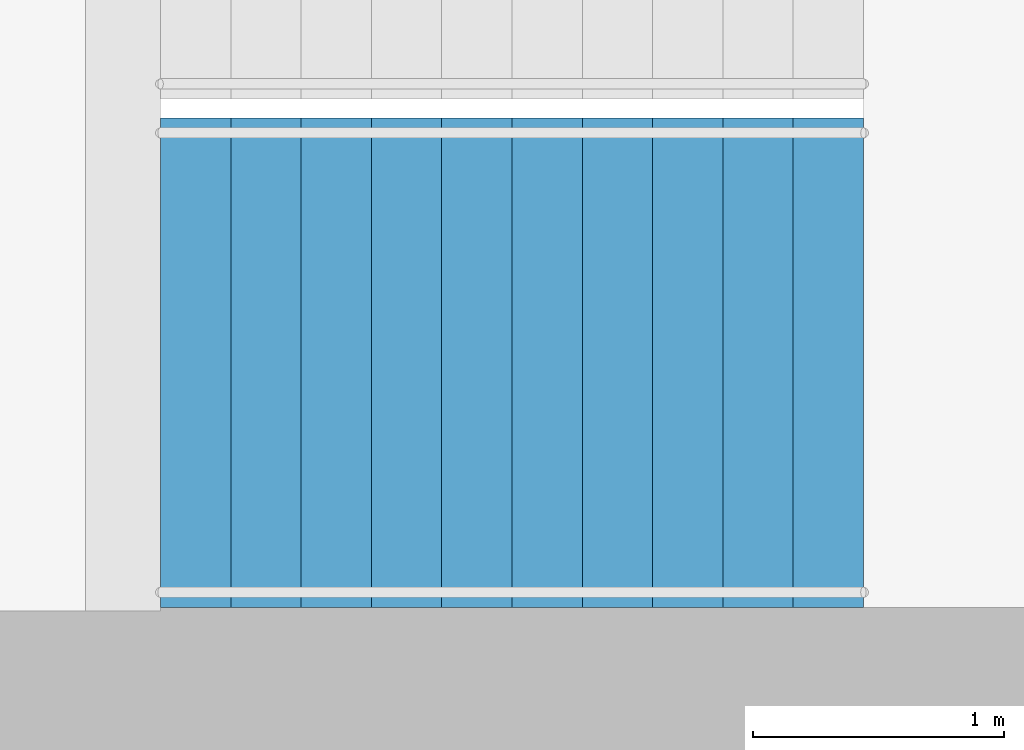
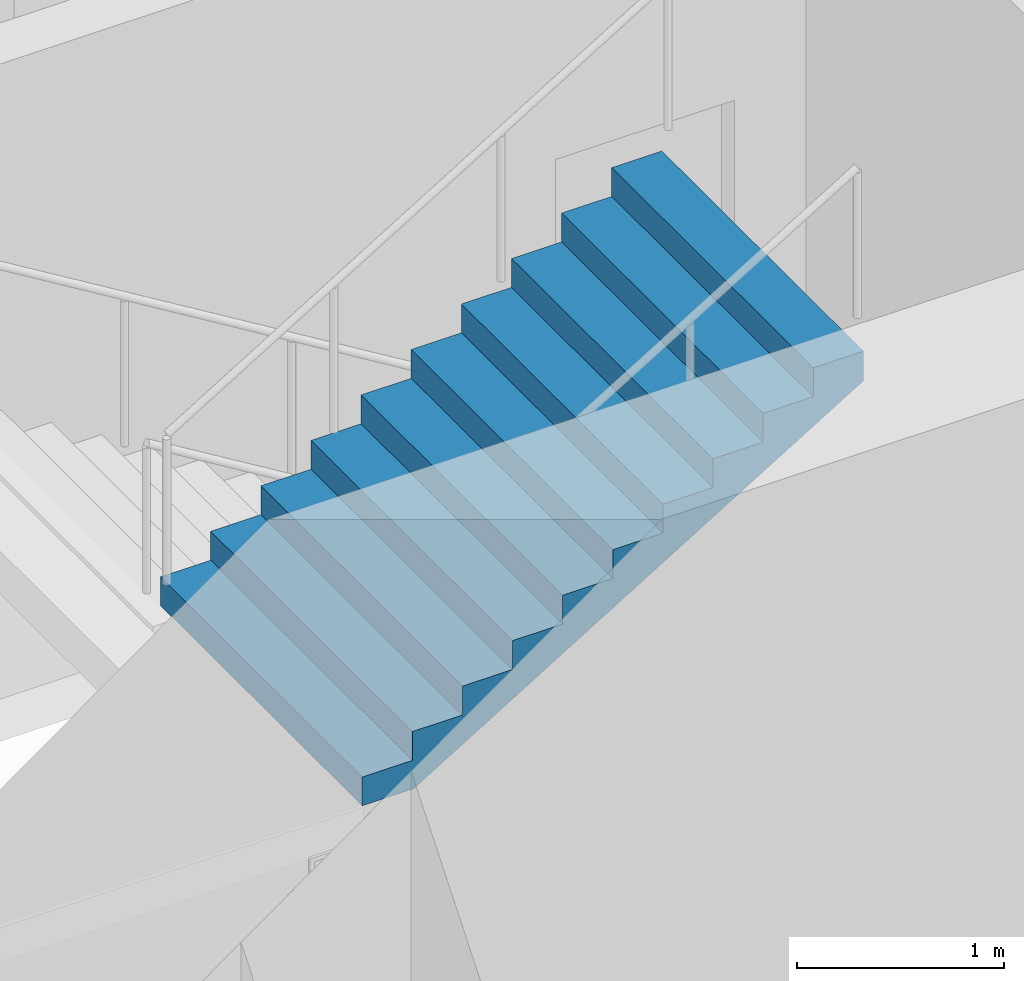
# One storey, part 19 of 21: 1 stair flight, 1 element without a shape of its own.
"""IFC4 building model written with IfcOpenShell, lengths in metres."""

from ifc_helpers import new_model, si_unit, direction, frame, origin, place, context, subcontext, project, spatial, triangles, material, type_object, element, aggregate, save


model = new_model("IFC4")

# Units and contexts
model_context = context("Model", 3, precision=1e-05, world=origin(), true_north=direction((0.0, 1.0)))
body_context = subcontext(model_context, "Body", "Model", "MODEL_VIEW")
ifc_project = project(units=[si_unit("LENGTHUNIT", "METRE"), si_unit("AREAUNIT", "SQUARE_METRE"), si_unit("VOLUMEUNIT", "CUBIC_METRE"), si_unit("PLANEANGLEUNIT", "RADIAN"), si_unit("MASSUNIT", "GRAM", prefix="KILO")], contexts=[model_context])

# Site, building, storey
site_placement = place(None, origin())
site = spatial("IfcSite", under=ifc_project, at=site_placement, CompositionType="ELEMENT")
building_placement = place(site_placement, origin())
building = spatial("IfcBuilding", under=site, at=building_placement, Name="Orbita Commons", CompositionType="ELEMENT")
storey_placement = place(building_placement, frame((0.0, 0.0, 103.14990234375)))
storey = spatial("IfcBuildingStorey", under=building, at=storey_placement, Name="L25", CompositionType="ELEMENT", Elevation=103.14990234375)

# Stair, stair flight
ifc_material_1 = material(Name="Precast concrete C40/50", Category="concrete")
stair_type = type_object("IfcStairType", Name="Exit stair S2 2 flights 11 risers 170", PredefinedType="HALF_TURN_STAIR", material=ifc_material_1)
stair_placement = place(storey_placement, origin())
stair = element("IfcStair", 1, at=stair_placement, inside=storey, type_object=stair_type, Name="Exit stair S2 L25", PredefinedType="HALF_TURN_STAIR")
ifc_material_2 = material(Name="Precast concrete C40/50", Category="concrete")
stair_flight_type = type_object("IfcStairFlightType", Name="Stair flight 11 risers 170 x 280", PredefinedType="STRAIGHT", material=ifc_material_2)
stair_flight_placement = place(storey_placement, frame((60.75, 27.25, 1.875), z_axis=(0.0, 0.0, 1.0), x_axis=(1.0, 0.0, 0.0)))
stair_flight = element("IfcStairFlight", 2, at=stair_flight_placement, type_object=stair_flight_type, Name="S2 flight 2", NumberOfRisers=11, NumberOfTreads=10, PredefinedType="STRAIGHT", RiserHeight=0.170454545, TreadLength=0.28, context=body_context, shape_type="Tessellation", body=[
    triangles([(0.0, 0.974976, 0.0), (0.0, 0.974976, 0.021307), (0.0, 0.81248, 0.021307), (0.0, 0.81248, 0.0), (0.0, 0.649984, 0.021307), (0.0, 0.649984, 0.0), (0.0, 0.487488, 0.021307), (0.0, 0.487488, 0.0), (0.0, 0.324992, 0.021307), (0.0, 0.324992, 0.0), (0.0, 0.162496, 0.021307), (0.0, 0.162496, 0.0), (0.0, 0.0, 0.021307), (0.0, 0.0, 0.0), (0.0, -0.162496, 0.021307), (0.0, -0.162496, 0.0), (0.0, -0.324992, 0.021307), (0.0, -0.324992, 0.0), (0.0, -0.487488, 0.021307), (0.0, -0.487488, 0.0), (0.0, -0.649984, 0.021307), (0.0, -0.649984, 0.0), (0.0, -0.81248, 0.021307), (0.0, -0.81248, 0.0), (0.0, -0.974976, 0.021307), (0.0, -0.974976, 0.0), (0.0, 0.974976, 0.042614), (0.0, 0.81248, 0.042614), (0.0, 0.649984, 0.042614), (0.0, 0.487488, 0.042614), (0.0, 0.324992, 0.042614), (0.0, 0.162496, 0.042614), (0.0, 0.0, 0.042614), (0.0, -0.162496, 0.042614), (0.0, -0.324992, 0.042614), (0.0, -0.487488, 0.042614), (0.0, -0.649984, 0.042614), (0.0, -0.81248, 0.042614), (0.0, -0.974976, 0.042614), (0.0, 0.974976, 0.06392), (0.0, 0.81248, 0.06392), (0.0, 0.649984, 0.06392), (0.0, 0.487488, 0.06392), (0.0, 0.324992, 0.06392), (0.0, 0.162496, 0.06392), (0.0, 0.0, 0.06392), (0.0, -0.162496, 0.06392), (0.0, -0.324992, 0.06392), (0.0, -0.487488, 0.06392), (0.0, -0.649984, 0.06392), (0.0, -0.81248, 0.06392), (0.0, -0.974976, 0.06392), (0.0, 0.974976, 0.085227), (0.0, 0.81248, 0.085227), (0.0, 0.649984, 0.085227), (0.0, 0.487488, 0.085227), (0.0, 0.324992, 0.085227), (0.0, 0.162496, 0.085227), (0.0, 0.0, 0.085227), (0.0, -0.162496, 0.085227), (0.0, -0.324992, 0.085227), (0.0, -0.487488, 0.085227), (0.0, -0.649984, 0.085227), (0.0, -0.81248, 0.085227), (0.0, -0.974976, 0.085227), (0.0, 0.974976, 0.106534), (0.0, 0.81248, 0.106534), (0.0, 0.649984, 0.106534), (0.0, 0.487488, 0.106534), (0.0, 0.324992, 0.106534), (0.0, 0.162496, 0.106534), (0.0, 0.0, 0.106534), (0.0, -0.162496, 0.106534), (0.0, -0.324992, 0.106534), (0.0, -0.487488, 0.106534), (0.0, -0.649984, 0.106534), (0.0, -0.81248, 0.106534), (0.0, -0.974976, 0.106534), (0.0, 0.974976, 0.127841), (0.0, 0.81248, 0.127841), (0.0, 0.649984, 0.127841), (0.0, 0.487488, 0.127841), (0.0, 0.324992, 0.127841), (0.0, 0.162496, 0.127841), (0.0, 0.0, 0.127841), (0.0, -0.162496, 0.127841), (0.0, -0.324992, 0.127841), (0.0, -0.487488, 0.127841), (0.0, -0.649984, 0.127841), (0.0, -0.81248, 0.127841), (0.0, -0.974976, 0.127841), (0.0, 0.974976, 0.149148), (0.0, 0.81248, 0.149148), (0.0, 0.649984, 0.149148), (0.0, 0.487488, 0.149148), (0.0, 0.324992, 0.149148), (0.0, 0.162496, 0.149148), (0.0, 0.0, 0.149148), (0.0, -0.162496, 0.149148), (0.0, -0.324992, 0.149148), (0.0, -0.487488, 0.149148), (0.0, -0.649984, 0.149148), (0.0, -0.81248, 0.149148), (0.0, -0.974976, 0.149148), (0.0, 0.974976, 0.170455), (0.0, 0.81248, 0.170455), (0.0, 0.649984, 0.170455), (0.0, 0.487488, 0.170455), (0.0, 0.324992, 0.170455), (0.0, 0.162496, 0.170455), (0.0, 0.0, 0.170455), (0.0, -0.162496, 0.170455), (0.0, -0.324992, 0.170455), (0.0, -0.487488, 0.170455), (0.0, -0.649984, 0.170455), (0.0, -0.81248, 0.170455), (0.0, -0.974976, 0.170455), (0.28, 0.974976, 0.170455), (0.28, 0.81248, 0.170455), (0.28, 0.649984, 0.170455), (0.28, 0.487488, 0.170455), (0.28, 0.324992, 0.170455), (0.28, 0.162496, 0.170455), (0.28, 0.0, 0.170455), (0.28, -0.162496, 0.170455), (0.28, -0.324992, 0.170455), (0.28, -0.487488, 0.170455), (0.28, -0.649984, 0.170455), (0.28, -0.81248, 0.170455), (0.28, -0.974976, 0.170455), (0.28, 0.974976, 0.340909), (0.28, 0.81248, 0.340909), (0.28, 0.649984, 0.340909), (0.28, 0.487488, 0.340909), (0.28, 0.324992, 0.340909), (0.28, 0.162496, 0.340909), (0.28, 0.0, 0.340909), (0.28, -0.162496, 0.340909), (0.28, -0.324992, 0.340909), (0.28, -0.487488, 0.340909), (0.28, -0.649984, 0.340909), (0.28, -0.81248, 0.340909), (0.28, -0.974976, 0.340909), (0.56, 0.974976, 0.340909), (0.56, 0.81248, 0.340909), (0.56, 0.649984, 0.340909), (0.56, 0.487488, 0.340909), (0.56, 0.324992, 0.340909), (0.56, 0.162496, 0.340909), (0.56, 0.0, 0.340909), (0.56, -0.162496, 0.340909), (0.56, -0.324992, 0.340909), (0.56, -0.487488, 0.340909), (0.56, -0.649984, 0.340909), (0.56, -0.81248, 0.340909), (0.56, -0.974976, 0.340909), (0.56, 0.974976, 0.511364), (0.56, 0.81248, 0.511364), (0.56, 0.649984, 0.511364), (0.56, 0.487488, 0.511364), (0.56, 0.324992, 0.511364), (0.56, 0.162496, 0.511364), (0.56, 0.0, 0.511364), (0.56, -0.162496, 0.511364), (0.56, -0.324992, 0.511364), (0.56, -0.487488, 0.511364), (0.56, -0.649984, 0.511364), (0.56, -0.81248, 0.511364), (0.56, -0.974976, 0.511364), (0.84, 0.974976, 0.511364), (0.84, 0.81248, 0.511364), (0.84, 0.649984, 0.511364), (0.84, 0.487488, 0.511364), (0.84, 0.324992, 0.511364), (0.84, 0.162496, 0.511364), (0.84, 0.0, 0.511364), (0.84, -0.162496, 0.511364), (0.84, -0.324992, 0.511364), (0.84, -0.487488, 0.511364), (0.84, -0.649984, 0.511364), (0.84, -0.81248, 0.511364), (0.84, -0.974976, 0.511364), (0.84, 0.974976, 0.681818), (0.84, 0.81248, 0.681818), (0.84, 0.649984, 0.681818), (0.84, 0.487488, 0.681818), (0.84, 0.324992, 0.681818), (0.84, 0.162496, 0.681818), (0.84, 0.0, 0.681818), (0.84, -0.162496, 0.681818), (0.84, -0.324992, 0.681818), (0.84, -0.487488, 0.681818), (0.84, -0.649984, 0.681818), (0.84, -0.81248, 0.681818), (0.84, -0.974976, 0.681818), (1.12, 0.974976, 0.681818), (1.12, 0.81248, 0.681818), (1.12, 0.649984, 0.681818), (1.12, 0.487488, 0.681818), (1.12, 0.324992, 0.681818), (1.12, 0.162496, 0.681818), (1.12, 0.0, 0.681818), (1.12, -0.162496, 0.681818), (1.12, -0.324992, 0.681818), (1.12, -0.487488, 0.681818), (1.12, -0.649984, 0.681818), (1.12, -0.81248, 0.681818), (1.12, -0.974976, 0.681818), (1.12, 0.974976, 0.852273), (1.12, 0.81248, 0.852273), (1.12, 0.649984, 0.852273), (1.12, 0.487488, 0.852273), (1.12, 0.324992, 0.852273), (1.12, 0.162496, 0.852273), (1.12, 0.0, 0.852273), (1.12, -0.162496, 0.852273), (1.12, -0.324992, 0.852273), (1.12, -0.487488, 0.852273), (1.12, -0.649984, 0.852273), (1.12, -0.81248, 0.852273), (1.12, -0.974976, 0.852273), (1.4, 0.974976, 0.852273), (1.4, 0.81248, 0.852273), (1.4, 0.649984, 0.852273), (1.4, 0.487488, 0.852273), (1.4, 0.324992, 0.852273), (1.4, 0.162496, 0.852273), (1.4, 0.0, 0.852273), (1.4, -0.162496, 0.852273), (1.4, -0.324992, 0.852273), (1.4, -0.487488, 0.852273), (1.4, -0.649984, 0.852273), (1.4, -0.81248, 0.852273), (1.4, -0.974976, 0.852273), (1.4, 0.974976, 1.022727), (1.4, 0.81248, 1.022727), (1.4, 0.649984, 1.022727), (1.4, 0.487488, 1.022727), (1.4, 0.324992, 1.022727), (1.4, 0.162496, 1.022727), (1.4, 0.0, 1.022727), (1.4, -0.162496, 1.022727), (1.4, -0.324992, 1.022727), (1.4, -0.487488, 1.022727), (1.4, -0.649984, 1.022727), (1.4, -0.81248, 1.022727), (1.4, -0.974976, 1.022727), (1.68, 0.974976, 1.022727), (1.68, 0.81248, 1.022727), (1.68, 0.649984, 1.022727), (1.68, 0.487488, 1.022727), (1.68, 0.324992, 1.022727), (1.68, 0.162496, 1.022727), (1.68, 0.0, 1.022727), (1.68, -0.162496, 1.022727), (1.68, -0.324992, 1.022727), (1.68, -0.487488, 1.022727), (1.68, -0.649984, 1.022727), (1.68, -0.81248, 1.022727), (1.68, -0.974976, 1.022727), (1.68, 0.974976, 1.193182), (1.68, 0.81248, 1.193182), (1.68, 0.649984, 1.193182), (1.68, 0.487488, 1.193182), (1.68, 0.324992, 1.193182), (1.68, 0.162496, 1.193182), (1.68, 0.0, 1.193182), (1.68, -0.162496, 1.193182), (1.68, -0.324992, 1.193182), (1.68, -0.487488, 1.193182), (1.68, -0.649984, 1.193182), (1.68, -0.81248, 1.193182), (1.68, -0.974976, 1.193182), (1.96, 0.974976, 1.193182), (1.96, 0.81248, 1.193182), (1.96, 0.649984, 1.193182), (1.96, 0.487488, 1.193182), (1.96, 0.324992, 1.193182), (1.96, 0.162496, 1.193182), (1.96, 0.0, 1.193182), (1.96, -0.162496, 1.193182), (1.96, -0.324992, 1.193182), (1.96, -0.487488, 1.193182), (1.96, -0.649984, 1.193182), (1.96, -0.81248, 1.193182), (1.96, -0.974976, 1.193182), (1.96, 0.974976, 1.363636), (1.96, 0.81248, 1.363636), (1.96, 0.649984, 1.363636), (1.96, 0.487488, 1.363636), (1.96, 0.324992, 1.363636), (1.96, 0.162496, 1.363636), (1.96, 0.0, 1.363636), (1.96, -0.162496, 1.363636), (1.96, -0.324992, 1.363636), (1.96, -0.487488, 1.363636), (1.96, -0.649984, 1.363636), (1.96, -0.81248, 1.363636), (1.96, -0.974976, 1.363636), (2.24, 0.974976, 1.363636), (2.24, 0.81248, 1.363636), (2.24, 0.649984, 1.363636), (2.24, 0.487488, 1.363636), (2.24, 0.324992, 1.363636), (2.24, 0.162496, 1.363636), (2.24, 0.0, 1.363636), (2.24, -0.162496, 1.363636), (2.24, -0.324992, 1.363636), (2.24, -0.487488, 1.363636), (2.24, -0.649984, 1.363636), (2.24, -0.81248, 1.363636), (2.24, -0.974976, 1.363636), (2.24, 0.974976, 1.534091), (2.24, 0.81248, 1.534091), (2.24, 0.649984, 1.534091), (2.24, 0.487488, 1.534091), (2.24, 0.324992, 1.534091), (2.24, 0.162496, 1.534091), (2.24, 0.0, 1.534091), (2.24, -0.162496, 1.534091), (2.24, -0.324992, 1.534091), (2.24, -0.487488, 1.534091), (2.24, -0.649984, 1.534091), (2.24, -0.81248, 1.534091), (2.24, -0.974976, 1.534091), (2.52, 0.974976, 1.534091), (2.52, 0.81248, 1.534091), (2.52, 0.649984, 1.534091), (2.52, 0.487488, 1.534091), (2.52, 0.324992, 1.534091), (2.52, 0.162496, 1.534091), (2.52, 0.0, 1.534091), (2.52, -0.162496, 1.534091), (2.52, -0.324992, 1.534091), (2.52, -0.487488, 1.534091), (2.52, -0.649984, 1.534091), (2.52, -0.81248, 1.534091), (2.52, -0.974976, 1.534091), (2.52, 0.974976, 1.704545), (2.52, 0.81248, 1.704545), (2.52, 0.649984, 1.704545), (2.52, 0.487488, 1.704545), (2.52, 0.324992, 1.704545), (2.52, 0.162496, 1.704545), (2.52, 0.0, 1.704545), (2.52, -0.162496, 1.704545), (2.52, -0.324992, 1.704545), (2.52, -0.487488, 1.704545), (2.52, -0.649984, 1.704545), (2.52, -0.81248, 1.704545), (2.52, -0.974976, 1.704545), (2.8, 0.974976, 1.704545), (2.8, 0.81248, 1.704545), (2.8, 0.649984, 1.704545), (2.8, 0.487488, 1.704545), (2.8, 0.324992, 1.704545), (2.8, 0.162496, 1.704545), (2.8, 0.0, 1.704545), (2.8, -0.162496, 1.704545), (2.8, -0.324992, 1.704545), (2.8, -0.487488, 1.704545), (2.8, -0.649984, 1.704545), (2.8, -0.81248, 1.704545), (2.8, -0.974976, 1.704545), (2.8, 0.974976, 1.682609), (2.8, 0.81248, 1.682609), (2.8, 0.649984, 1.682609), (2.8, 0.487488, 1.682609), (2.8, 0.324992, 1.682609), (2.8, 0.162496, 1.682609), (2.8, 0.0, 1.682609), (2.8, -0.162496, 1.682609), (2.8, -0.324992, 1.682609), (2.8, -0.487488, 1.682609), (2.8, -0.649984, 1.682609), (2.8, -0.81248, 1.682609), (2.8, -0.974976, 1.682609), (2.8, 0.974976, 1.660672), (2.8, 0.81248, 1.660672), (2.8, 0.649984, 1.660672), (2.8, 0.487488, 1.660672), (2.8, 0.324992, 1.660672), (2.8, 0.162496, 1.660672), (2.8, 0.0, 1.660672), (2.8, -0.162496, 1.660672), (2.8, -0.324992, 1.660672), (2.8, -0.487488, 1.660672), (2.8, -0.649984, 1.660672), (2.8, -0.81248, 1.660672), (2.8, -0.974976, 1.660672), (2.8, 0.974976, 1.638735), (2.8, 0.81248, 1.638735), (2.8, 0.649984, 1.638735), (2.8, 0.487488, 1.638735), (2.8, 0.324992, 1.638735), (2.8, 0.162496, 1.638735), (2.8, 0.0, 1.638735), (2.8, -0.162496, 1.638735), (2.8, -0.324992, 1.638735), (2.8, -0.487488, 1.638735), (2.8, -0.649984, 1.638735), (2.8, -0.81248, 1.638735), (2.8, -0.974976, 1.638735), (2.8, 0.974976, 1.616798), (2.8, 0.81248, 1.616798), (2.8, 0.649984, 1.616798), (2.8, 0.487488, 1.616798), (2.8, 0.324992, 1.616798), (2.8, 0.162496, 1.616798), (2.8, 0.0, 1.616798), (2.8, -0.162496, 1.616798), (2.8, -0.324992, 1.616798), (2.8, -0.487488, 1.616798), (2.8, -0.649984, 1.616798), (2.8, -0.81248, 1.616798), (2.8, -0.974976, 1.616798), (2.8, 0.974976, 1.594861), (2.8, 0.81248, 1.594861), (2.8, 0.649984, 1.594861), (2.8, 0.487488, 1.594861), (2.8, 0.324992, 1.594861), (2.8, 0.162496, 1.594861), (2.8, 0.0, 1.594861), (2.8, -0.162496, 1.594861), (2.8, -0.324992, 1.594861), (2.8, -0.487488, 1.594861), (2.8, -0.649984, 1.594861), (2.8, -0.81248, 1.594861), (2.8, -0.974976, 1.594861), (2.8, 0.974976, 1.572925), (2.8, 0.81248, 1.572925), (2.8, 0.649984, 1.572925), (2.8, 0.487488, 1.572925), (2.8, 0.324992, 1.572925), (2.8, 0.162496, 1.572925), (2.8, 0.0, 1.572925), (2.8, -0.162496, 1.572925), (2.8, -0.324992, 1.572925), (2.8, -0.487488, 1.572925), (2.8, -0.649984, 1.572925), (2.8, -0.81248, 1.572925), (2.8, -0.974976, 1.572925), (2.8, 0.974976, 1.550988), (2.8, 0.81248, 1.550988), (2.8, 0.649984, 1.550988), (2.8, 0.487488, 1.550988), (2.8, 0.324992, 1.550988), (2.8, 0.162496, 1.550988), (2.8, 0.0, 1.550988), (2.8, -0.162496, 1.550988), (2.8, -0.324992, 1.550988), (2.8, -0.487488, 1.550988), (2.8, -0.649984, 1.550988), (2.8, -0.81248, 1.550988), (2.8, -0.974976, 1.550988), (2.8, 0.974976, 1.529051), (2.8, 0.81248, 1.529051), (2.8, 0.649984, 1.529051), (2.8, 0.487488, 1.529051), (2.8, 0.324992, 1.529051), (2.8, 0.162496, 1.529051), (2.8, 0.0, 1.529051), (2.8, -0.162496, 1.529051), (2.8, -0.324992, 1.529051), (2.8, -0.487488, 1.529051), (2.8, -0.649984, 1.529051), (2.8, -0.81248, 1.529051), (2.8, -0.974976, 1.529051), (0.288279, 0.974976, 0.0), (0.288279, 0.81248, 0.0), (0.288279, 0.649984, 0.0), (0.288279, 0.487488, 0.0), (0.288279, 0.324992, 0.0), (0.288279, 0.162496, 0.0), (0.288279, 0.0, 0.0), (0.288279, -0.162496, 0.0), (0.288279, -0.324992, 0.0), (0.288279, -0.487488, 0.0), (0.288279, -0.649984, 0.0), (0.288279, -0.81248, 0.0), (0.288279, -0.974976, 0.0)], [[3, 2, 1], [4, 3, 1], [5, 3, 4], [6, 5, 4], [7, 5, 6], [8, 7, 6], [9, 7, 8], [10, 9, 8], [11, 9, 10], [12, 11, 10], [13, 11, 12], [14, 13, 12], [15, 13, 14], [16, 15, 14], [17, 15, 16], [18, 17, 16], [19, 17, 18], [20, 19, 18], [21, 19, 20], [22, 21, 20], [23, 21, 22], [24, 23, 22], [25, 23, 24], [26, 25, 24], [28, 27, 2], [3, 28, 2], [29, 28, 3], [5, 29, 3], [30, 29, 5], [7, 30, 5], [31, 30, 7], [9, 31, 7], [32, 31, 9], [11, 32, 9], [33, 32, 11], [13, 33, 11], [34, 33, 13], [15, 34, 13], [35, 34, 15], [17, 35, 15], [36, 35, 17], [19, 36, 17], [37, 36, 19], [21, 37, 19], [38, 37, 21], [23, 38, 21], [39, 38, 23], [25, 39, 23], [41, 40, 27], [28, 41, 27], [42, 41, 28], [29, 42, 28], [43, 42, 29], [30, 43, 29], [44, 43, 30], [31, 44, 30], [45, 44, 31], [32, 45, 31], [46, 45, 32], [33, 46, 32], [47, 46, 33], [34, 47, 33], [48, 47, 34], [35, 48, 34], [49, 48, 35], [36, 49, 35], [50, 49, 36], [37, 50, 36], [51, 50, 37], [38, 51, 37], [52, 51, 38], [39, 52, 38], [54, 53, 40], [41, 54, 40], [55, 54, 41], [42, 55, 41], [56, 55, 42], [43, 56, 42], [57, 56, 43], [44, 57, 43], [58, 57, 44], [45, 58, 44], [59, 58, 45], [46, 59, 45], [60, 59, 46], [47, 60, 46], [61, 60, 47], [48, 61, 47], [62, 61, 48], [49, 62, 48], [63, 62, 49], [50, 63, 49], [64, 63, 50], [51, 64, 50], [65, 64, 51], [52, 65, 51], [67, 66, 53], [54, 67, 53], [68, 67, 54], [55, 68, 54], [69, 68, 55], [56, 69, 55], [70, 69, 56], [57, 70, 56], [71, 70, 57], [58, 71, 57], [72, 71, 58], [59, 72, 58], [73, 72, 59], [60, 73, 59], [74, 73, 60], [61, 74, 60], [75, 74, 61], [62, 75, 61], [76, 75, 62], [63, 76, 62], [77, 76, 63], [64, 77, 63], [78, 77, 64], [65, 78, 64], [80, 79, 66], [67, 80, 66], [81, 80, 67], [68, 81, 67], [82, 81, 68], [69, 82, 68], [83, 82, 69], [70, 83, 69], [84, 83, 70], [71, 84, 70], [85, 84, 71], [72, 85, 71], [86, 85, 72], [73, 86, 72], [87, 86, 73], [74, 87, 73], [88, 87, 74], [75, 88, 74], [89, 88, 75], [76, 89, 75], [90, 89, 76], [77, 90, 76], [91, 90, 77], [78, 91, 77], [93, 92, 79], [80, 93, 79], [94, 93, 80], [81, 94, 80], [95, 94, 81], [82, 95, 81], [96, 95, 82], [83, 96, 82], [97, 96, 83], [84, 97, 83], [98, 97, 84], [85, 98, 84], [99, 98, 85], [86, 99, 85], [100, 99, 86], [87, 100, 86], [101, 100, 87], [88, 101, 87], [102, 101, 88], [89, 102, 88], [103, 102, 89], [90, 103, 89], [104, 103, 90], [91, 104, 90], [106, 105, 92], [93, 106, 92], [107, 106, 93], [94, 107, 93], [108, 107, 94], [95, 108, 94], [109, 108, 95], [96, 109, 95], [110, 109, 96], [97, 110, 96], [111, 110, 97], [98, 111, 97], [112, 111, 98], [99, 112, 98], [113, 112, 99], [100, 113, 99], [114, 113, 100], [101, 114, 100], [115, 114, 101], [102, 115, 101], [116, 115, 102], [103, 116, 102], [117, 116, 103], [104, 117, 103], [119, 118, 105], [106, 119, 105], [120, 119, 106], [107, 120, 106], [121, 120, 107], [108, 121, 107], [122, 121, 108], [109, 122, 108], [123, 122, 109], [110, 123, 109], [124, 123, 110], [111, 124, 110], [125, 124, 111], [112, 125, 111], [126, 125, 112], [113, 126, 112], [127, 126, 113], [114, 127, 113], [128, 127, 114], [115, 128, 114], [129, 128, 115], [116, 129, 115], [130, 129, 116], [117, 130, 116], [132, 131, 118], [119, 132, 118], [133, 132, 119], [120, 133, 119], [134, 133, 120], [121, 134, 120], [135, 134, 121], [122, 135, 121], [136, 135, 122], [123, 136, 122], [137, 136, 123], [124, 137, 123], [138, 137, 124], [125, 138, 124], [139, 138, 125], [126, 139, 125], [140, 139, 126], [127, 140, 126], [141, 140, 127], [128, 141, 127], [142, 141, 128], [129, 142, 128], [143, 142, 129], [130, 143, 129], [145, 144, 131], [132, 145, 131], [146, 145, 132], [133, 146, 132], [147, 146, 133], [134, 147, 133], [148, 147, 134], [135, 148, 134], [149, 148, 135], [136, 149, 135], [150, 149, 136], [137, 150, 136], [151, 150, 137], [138, 151, 137], [152, 151, 138], [139, 152, 138], [153, 152, 139], [140, 153, 139], [154, 153, 140], [141, 154, 140], [155, 154, 141], [142, 155, 141], [156, 155, 142], [143, 156, 142], [158, 157, 144], [145, 158, 144], [159, 158, 145], [146, 159, 145], [160, 159, 146], [147, 160, 146], [161, 160, 147], [148, 161, 147], [162, 161, 148], [149, 162, 148], [163, 162, 149], [150, 163, 149], [164, 163, 150], [151, 164, 150], [165, 164, 151], [152, 165, 151], [166, 165, 152], [153, 166, 152], [167, 166, 153], [154, 167, 153], [168, 167, 154], [155, 168, 154], [169, 168, 155], [156, 169, 155], [171, 170, 157], [158, 171, 157], [172, 171, 158], [159, 172, 158], [173, 172, 159], [160, 173, 159], [174, 173, 160], [161, 174, 160], [175, 174, 161], [162, 175, 161], [176, 175, 162], [163, 176, 162], [177, 176, 163], [164, 177, 163], [178, 177, 164], [165, 178, 164], [179, 178, 165], [166, 179, 165], [180, 179, 166], [167, 180, 166], [181, 180, 167], [168, 181, 167], [182, 181, 168], [169, 182, 168], [184, 183, 170], [171, 184, 170], [185, 184, 171], [172, 185, 171], [186, 185, 172], [173, 186, 172], [187, 186, 173], [174, 187, 173], [188, 187, 174], [175, 188, 174], [189, 188, 175], [176, 189, 175], [190, 189, 176], [177, 190, 176], [191, 190, 177], [178, 191, 177], [192, 191, 178], [179, 192, 178], [193, 192, 179], [180, 193, 179], [194, 193, 180], [181, 194, 180], [195, 194, 181], [182, 195, 181], [197, 196, 183], [184, 197, 183], [198, 197, 184], [185, 198, 184], [199, 198, 185], [186, 199, 185], [200, 199, 186], [187, 200, 186], [201, 200, 187], [188, 201, 187], [202, 201, 188], [189, 202, 188], [203, 202, 189], [190, 203, 189], [204, 203, 190], [191, 204, 190], [205, 204, 191], [192, 205, 191], [206, 205, 192], [193, 206, 192], [207, 206, 193], [194, 207, 193], [208, 207, 194], [195, 208, 194], [210, 209, 196], [197, 210, 196], [211, 210, 197], [198, 211, 197], [212, 211, 198], [199, 212, 198], [213, 212, 199], [200, 213, 199], [214, 213, 200], [201, 214, 200], [215, 214, 201], [202, 215, 201], [216, 215, 202], [203, 216, 202], [217, 216, 203], [204, 217, 203], [218, 217, 204], [205, 218, 204], [219, 218, 205], [206, 219, 205], [220, 219, 206], [207, 220, 206], [221, 220, 207], [208, 221, 207], [223, 222, 209], [210, 223, 209], [224, 223, 210], [211, 224, 210], [225, 224, 211], [212, 225, 211], [226, 225, 212], [213, 226, 212], [227, 226, 213], [214, 227, 213], [228, 227, 214], [215, 228, 214], [229, 228, 215], [216, 229, 215], [230, 229, 216], [217, 230, 216], [231, 230, 217], [218, 231, 217], [232, 231, 218], [219, 232, 218], [233, 232, 219], [220, 233, 219], [234, 233, 220], [221, 234, 220], [236, 235, 222], [223, 236, 222], [237, 236, 223], [224, 237, 223], [238, 237, 224], [225, 238, 224], [239, 238, 225], [226, 239, 225], [240, 239, 226], [227, 240, 226], [241, 240, 227], [228, 241, 227], [242, 241, 228], [229, 242, 228], [243, 242, 229], [230, 243, 229], [244, 243, 230], [231, 244, 230], [245, 244, 231], [232, 245, 231], [246, 245, 232], [233, 246, 232], [247, 246, 233], [234, 247, 233], [249, 248, 235], [236, 249, 235], [250, 249, 236], [237, 250, 236], [251, 250, 237], [238, 251, 237], [252, 251, 238], [239, 252, 238], [253, 252, 239], [240, 253, 239], [254, 253, 240], [241, 254, 240], [255, 254, 241], [242, 255, 241], [256, 255, 242], [243, 256, 242], [257, 256, 243], [244, 257, 243], [258, 257, 244], [245, 258, 244], [259, 258, 245], [246, 259, 245], [260, 259, 246], [247, 260, 246], [262, 261, 248], [249, 262, 248], [263, 262, 249], [250, 263, 249], [264, 263, 250], [251, 264, 250], [265, 264, 251], [252, 265, 251], [266, 265, 252], [253, 266, 252], [267, 266, 253], [254, 267, 253], [268, 267, 254], [255, 268, 254], [269, 268, 255], [256, 269, 255], [270, 269, 256], [257, 270, 256], [271, 270, 257], [258, 271, 257], [272, 271, 258], [259, 272, 258], [273, 272, 259], [260, 273, 259], [275, 274, 261], [262, 275, 261], [276, 275, 262], [263, 276, 262], [277, 276, 263], [264, 277, 263], [278, 277, 264], [265, 278, 264], [279, 278, 265], [266, 279, 265], [280, 279, 266], [267, 280, 266], [281, 280, 267], [268, 281, 267], [282, 281, 268], [269, 282, 268], [283, 282, 269], [270, 283, 269], [284, 283, 270], [271, 284, 270], [285, 284, 271], [272, 285, 271], [286, 285, 272], [273, 286, 272], [288, 287, 274], [275, 288, 274], [289, 288, 275], [276, 289, 275], [290, 289, 276], [277, 290, 276], [291, 290, 277], [278, 291, 277], [292, 291, 278], [279, 292, 278], [293, 292, 279], [280, 293, 279], [294, 293, 280], [281, 294, 280], [295, 294, 281], [282, 295, 281], [296, 295, 282], [283, 296, 282], [297, 296, 283], [284, 297, 283], [298, 297, 284], [285, 298, 284], [299, 298, 285], [286, 299, 285], [301, 300, 287], [288, 301, 287], [302, 301, 288], [289, 302, 288], [303, 302, 289], [290, 303, 289], [304, 303, 290], [291, 304, 290], [305, 304, 291], [292, 305, 291], [306, 305, 292], [293, 306, 292], [307, 306, 293], [294, 307, 293], [308, 307, 294], [295, 308, 294], [309, 308, 295], [296, 309, 295], [310, 309, 296], [297, 310, 296], [311, 310, 297], [298, 311, 297], [312, 311, 298], [299, 312, 298], [314, 313, 300], [301, 314, 300], [315, 314, 301], [302, 315, 301], [316, 315, 302], [303, 316, 302], [317, 316, 303], [304, 317, 303], [318, 317, 304], [305, 318, 304], [319, 318, 305], [306, 319, 305], [320, 319, 306], [307, 320, 306], [321, 320, 307], [308, 321, 307], [322, 321, 308], [309, 322, 308], [323, 322, 309], [310, 323, 309], [324, 323, 310], [311, 324, 310], [325, 324, 311], [312, 325, 311], [327, 326, 313], [314, 327, 313], [328, 327, 314], [315, 328, 314], [329, 328, 315], [316, 329, 315], [330, 329, 316], [317, 330, 316], [331, 330, 317], [318, 331, 317], [332, 331, 318], [319, 332, 318], [333, 332, 319], [320, 333, 319], [334, 333, 320], [321, 334, 320], [335, 334, 321], [322, 335, 321], [336, 335, 322], [323, 336, 322], [337, 336, 323], [324, 337, 323], [338, 337, 324], [325, 338, 324], [340, 339, 326], [327, 340, 326], [341, 340, 327], [328, 341, 327], [342, 341, 328], [329, 342, 328], [343, 342, 329], [330, 343, 329], [344, 343, 330], [331, 344, 330], [345, 344, 331], [332, 345, 331], [346, 345, 332], [333, 346, 332], [347, 346, 333], [334, 347, 333], [348, 347, 334], [335, 348, 334], [349, 348, 335], [336, 349, 335], [350, 349, 336], [337, 350, 336], [351, 350, 337], [338, 351, 337], [353, 352, 339], [340, 353, 339], [354, 353, 340], [341, 354, 340], [355, 354, 341], [342, 355, 341], [356, 355, 342], [343, 356, 342], [357, 356, 343], [344, 357, 343], [358, 357, 344], [345, 358, 344], [359, 358, 345], [346, 359, 345], [360, 359, 346], [347, 360, 346], [361, 360, 347], [348, 361, 347], [362, 361, 348], [349, 362, 348], [363, 362, 349], [350, 363, 349], [364, 363, 350], [351, 364, 350], [366, 365, 352], [353, 366, 352], [367, 366, 353], [354, 367, 353], [368, 367, 354], [355, 368, 354], [369, 368, 355], [356, 369, 355], [370, 369, 356], [357, 370, 356], [371, 370, 357], [358, 371, 357], [372, 371, 358], [359, 372, 358], [373, 372, 359], [360, 373, 359], [374, 373, 360], [361, 374, 360], [375, 374, 361], [362, 375, 361], [376, 375, 362], [363, 376, 362], [377, 376, 363], [364, 377, 363], [379, 378, 365], [366, 379, 365], [380, 379, 366], [367, 380, 366], [381, 380, 367], [368, 381, 367], [382, 381, 368], [369, 382, 368], [383, 382, 369], [370, 383, 369], [384, 383, 370], [371, 384, 370], [385, 384, 371], [372, 385, 371], [386, 385, 372], [373, 386, 372], [387, 386, 373], [374, 387, 373], [388, 387, 374], [375, 388, 374], [389, 388, 375], [376, 389, 375], [390, 389, 376], [377, 390, 376], [392, 391, 378], [379, 392, 378], [393, 392, 379], [380, 393, 379], [394, 393, 380], [381, 394, 380], [395, 394, 381], [382, 395, 381], [396, 395, 382], [383, 396, 382], [397, 396, 383], [384, 397, 383], [398, 397, 384], [385, 398, 384], [399, 398, 385], [386, 399, 385], [400, 399, 386], [387, 400, 386], [401, 400, 387], [388, 401, 387], [402, 401, 388], [389, 402, 388], [403, 402, 389], [390, 403, 389], [405, 404, 391], [392, 405, 391], [406, 405, 392], [393, 406, 392], [407, 406, 393], [394, 407, 393], [408, 407, 394], [395, 408, 394], [409, 408, 395], [396, 409, 395], [410, 409, 396], [397, 410, 396], [411, 410, 397], [398, 411, 397], [412, 411, 398], [399, 412, 398], [413, 412, 399], [400, 413, 399], [414, 413, 400], [401, 414, 400], [415, 414, 401], [402, 415, 401], [416, 415, 402], [403, 416, 402], [418, 417, 404], [405, 418, 404], [419, 418, 405], [406, 419, 405], [420, 419, 406], [407, 420, 406], [421, 420, 407], [408, 421, 407], [422, 421, 408], [409, 422, 408], [423, 422, 409], [410, 423, 409], [424, 423, 410], [411, 424, 410], [425, 424, 411], [412, 425, 411], [426, 425, 412], [413, 426, 412], [427, 426, 413], [414, 427, 413], [428, 427, 414], [415, 428, 414], [429, 428, 415], [416, 429, 415], [431, 430, 417], [418, 431, 417], [432, 431, 418], [419, 432, 418], [433, 432, 419], [420, 433, 419], [434, 433, 420], [421, 434, 420], [435, 434, 421], [422, 435, 421], [436, 435, 422], [423, 436, 422], [437, 436, 423], [424, 437, 423], [438, 437, 424], [425, 438, 424], [439, 438, 425], [426, 439, 425], [440, 439, 426], [427, 440, 426], [441, 440, 427], [428, 441, 427], [442, 441, 428], [429, 442, 428], [444, 443, 430], [431, 444, 430], [445, 444, 431], [432, 445, 431], [446, 445, 432], [433, 446, 432], [447, 446, 433], [434, 447, 433], [448, 447, 434], [435, 448, 434], [449, 448, 435], [436, 449, 435], [450, 449, 436], [437, 450, 436], [451, 450, 437], [438, 451, 437], [452, 451, 438], [439, 452, 438], [453, 452, 439], [440, 453, 439], [454, 453, 440], [441, 454, 440], [455, 454, 441], [442, 455, 441], [457, 456, 443], [444, 457, 443], [458, 457, 444], [445, 458, 444], [459, 458, 445], [446, 459, 445], [460, 459, 446], [447, 460, 446], [461, 460, 447], [448, 461, 447], [462, 461, 448], [449, 462, 448], [463, 462, 449], [450, 463, 449], [464, 463, 450], [451, 464, 450], [465, 464, 451], [452, 465, 451], [466, 465, 452], [453, 466, 452], [467, 466, 453], [454, 467, 453], [468, 467, 454], [455, 468, 454], [470, 469, 456], [457, 470, 456], [471, 470, 457], [458, 471, 457], [472, 471, 458], [459, 472, 458], [473, 472, 459], [460, 473, 459], [474, 473, 460], [461, 474, 460], [475, 474, 461], [462, 475, 461], [476, 475, 462], [463, 476, 462], [477, 476, 463], [464, 477, 463], [478, 477, 464], [465, 478, 464], [479, 478, 465], [466, 479, 465], [480, 479, 466], [467, 480, 466], [481, 480, 467], [468, 481, 467], [4, 1, 469], [470, 4, 469], [6, 4, 470], [471, 6, 470], [8, 6, 471], [472, 8, 471], [10, 8, 472], [473, 10, 472], [12, 10, 473], [474, 12, 473], [14, 12, 474], [475, 14, 474], [16, 14, 475], [476, 16, 475], [18, 16, 476], [477, 18, 476], [20, 18, 477], [478, 20, 477], [22, 20, 478], [479, 22, 478], [24, 22, 479], [480, 24, 479], [26, 24, 480], [481, 26, 480], [456, 469, 1], [26, 481, 468], [443, 456, 1], [26, 468, 455], [430, 443, 1], [26, 455, 442], [417, 430, 1], [26, 442, 429], [404, 417, 1], [26, 429, 416], [391, 404, 1], [26, 416, 403], [378, 391, 1], [26, 403, 390], [365, 378, 1], [26, 390, 377], [339, 352, 365], [377, 364, 351], [326, 339, 365], [377, 351, 338], [300, 313, 326], [338, 325, 312], [300, 326, 365], [377, 338, 312], [274, 287, 300], [312, 299, 286], [274, 300, 365], [377, 312, 286], [248, 261, 274], [286, 273, 260], [248, 274, 365], [377, 286, 260], [222, 235, 248], [260, 247, 234], [222, 248, 365], [377, 260, 234], [196, 209, 222], [234, 221, 208], [196, 222, 365], [377, 234, 208], [170, 183, 196], [208, 195, 182], [170, 196, 365], [377, 208, 182], [144, 157, 170], [182, 169, 156], [144, 170, 365], [377, 182, 156], [118, 131, 144], [156, 143, 130], [118, 144, 365], [377, 156, 130], [118, 365, 1], [26, 377, 130], [92, 105, 118], [130, 117, 104], [79, 92, 118], [130, 104, 91], [66, 79, 118], [130, 91, 78], [53, 66, 118], [130, 78, 65], [40, 53, 118], [130, 65, 52], [27, 40, 118], [130, 52, 39], [2, 27, 118], [130, 39, 25], [1, 2, 118], [130, 25, 26]], closed=True),
])
aggregate(stair, [stair_flight])

save(model, "model.ifc")
